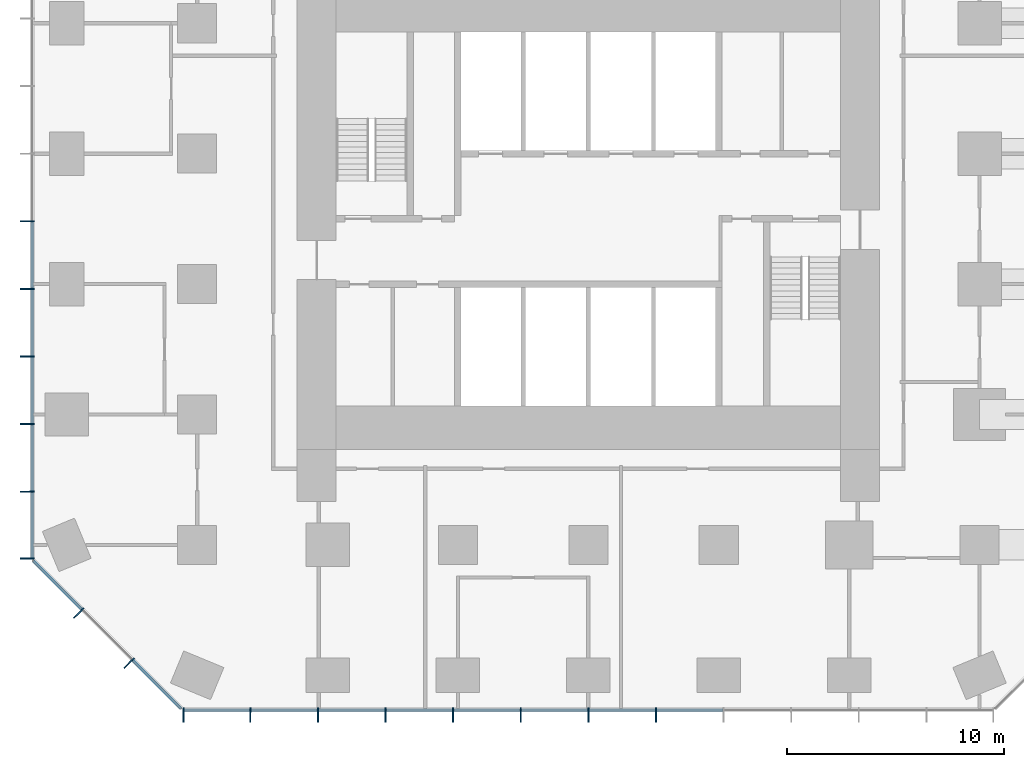
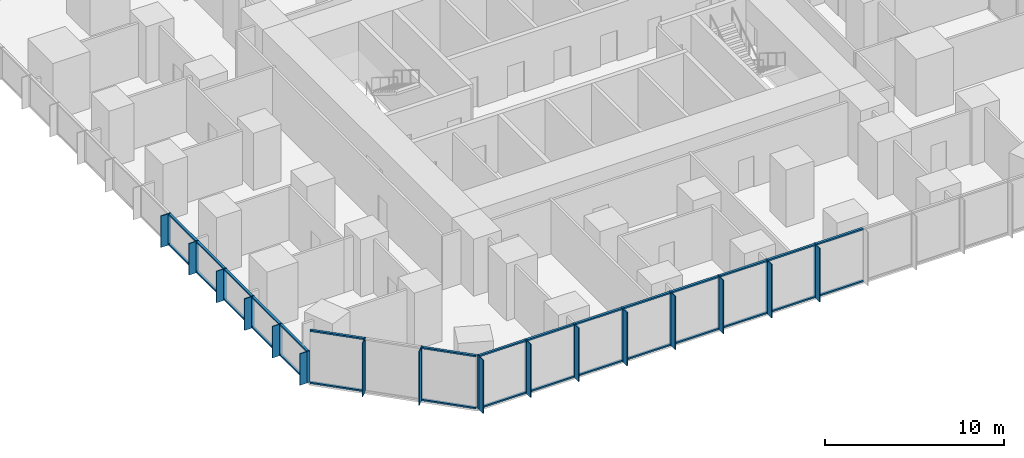
# One storey, part 2 of 13: 62 members, 3 elements without a shape of their own.
"""IFC4 building model written with IfcOpenShell, lengths in metres."""

from ifc_helpers import new_model, si_unit, direction, frame, origin, origin_2d, place, context, subcontext, project, spatial, rectangle, extrude, material, layer, layer_set, material_profile, profile_set, type_object, element, aggregate, save


model = new_model("IFC4")

# Units and contexts
model_context = context("Model", 3, precision=1e-05, world=origin(), true_north=direction((0.0, 1.0)))
body_context = subcontext(model_context, "Body", "Model", "MODEL_VIEW")
ifc_project = project(units=[si_unit("LENGTHUNIT", "METRE"), si_unit("AREAUNIT", "SQUARE_METRE"), si_unit("VOLUMEUNIT", "CUBIC_METRE"), si_unit("PLANEANGLEUNIT", "RADIAN"), si_unit("MASSUNIT", "GRAM", prefix="KILO")], contexts=[model_context])

# Site, building, storey
site_placement = place(None, origin())
site = spatial("IfcSite", under=ifc_project, at=site_placement, CompositionType="ELEMENT")
building_placement = place(site_placement, origin())
building = spatial("IfcBuilding", under=site, at=building_placement, Name="Highveld Stack Headquarters", CompositionType="ELEMENT")
storey_placement = place(building_placement, frame((0.0, 0.0, 84.5)))
storey = spatial("IfcBuildingStorey", under=building, at=storey_placement, Name="L20", CompositionType="ELEMENT", Elevation=84.5)

# Curtain wall, members
ifc_material_1 = material(Name="Aluminium bronze anodised", Category="aluminium")
ifc_layer_1 = layer(ifc_material_1, 0.199951171875)
ifc_layer_set_1 = layer_set([ifc_layer_1], Name="Aluminium bronze anodised")
curtain_wall_type_1 = type_object("IfcCurtainWallType", Name="CW1 TOWER UNITISED CURTAIN WALL", PredefinedType="NOTDEFINED", material=ifc_layer_set_1)
curtain_wall_1_placement = place(storey_placement, origin())
curtain_wall_1 = element("IfcCurtainWall", 1, at=curtain_wall_1_placement, inside=storey, type_object=curtain_wall_type_1, Name="Curtain wall CW1 L20 S", PredefinedType="NOTDEFINED")
ifc_material_2 = material(Name="Aluminium bronze anodised", Category="aluminium")
ifc_material_profile_1 = material_profile(ifc_material_2, rectangle(XDim=0.449951171875, YDim=0.06005859375, at=origin_2d()), Name="FIN 450x60")
ifc_profile_set_1 = profile_set([ifc_material_profile_1], Name="Aluminium bronze anodised")
member_type_1 = type_object("IfcMemberType", Name="CW1 BRONZE FIN 450x60", PredefinedType="USERDEFINED", material=ifc_profile_set_1)
member_1_placement = place(storey_placement, frame((-12.630126953125, -19.925048828125, 0.0), z_axis=(0.0, 0.0, 1.0), x_axis=(0.0, 1.0, 0.0)))
member_1 = element("IfcMember", 2, at=member_1_placement, type_object=member_type_1, Name="CW1 fin L20 1", ObjectType="FIN", PredefinedType="USERDEFINED", context=body_context, shape_type="SweptSolid", body=[
    extrude(rectangle(XDim=0.449951171875, YDim=0.06005859375, at=origin_2d()), origin(), (0.0, 0.0, 1.0), 3.64990234375),
])
member_2_placement = place(storey_placement, frame((-9.55224609375, -19.925048828125, 0.0), z_axis=(0.0, 0.0, 1.0), x_axis=(0.0, 1.0, 0.0)))
member_2 = element("IfcMember", 3, at=member_2_placement, type_object=member_type_1, Name="CW1 fin L20 2", ObjectType="FIN", PredefinedType="USERDEFINED", context=body_context, shape_type="SweptSolid", body=[
    extrude(rectangle(XDim=0.449951171875, YDim=0.06005859375, at=origin_2d()), origin(), (0.0, 0.0, 1.0), 3.64990234375),
])
member_3_placement = place(storey_placement, frame((-6.44189453125, -19.925048828125, 0.0), z_axis=(0.0, 0.0, 1.0), x_axis=(0.0, 1.0, 0.0)))
member_3 = element("IfcMember", 4, at=member_3_placement, type_object=member_type_1, Name="CW1 fin L20 3", ObjectType="FIN", PredefinedType="USERDEFINED", context=body_context, shape_type="SweptSolid", body=[
    extrude(rectangle(XDim=0.449951171875, YDim=0.06005859375, at=origin_2d()), origin(), (0.0, 0.0, 1.0), 3.64990234375),
])
member_4_placement = place(storey_placement, frame((-3.331298828125, -19.925048828125, 0.0), z_axis=(0.0, 0.0, 1.0), x_axis=(0.0, 1.0, 0.0)))
member_4 = element("IfcMember", 5, at=member_4_placement, type_object=member_type_1, Name="CW1 fin L20 4", ObjectType="FIN", PredefinedType="USERDEFINED", context=body_context, shape_type="SweptSolid", body=[
    extrude(rectangle(XDim=0.449951171875, YDim=0.06005859375, at=origin_2d()), origin(), (0.0, 0.0, 1.0), 3.64990234375),
])
member_5_placement = place(storey_placement, frame((-0.220947265625, -19.925048828125, 0.0), z_axis=(0.0, 0.0, 1.0), x_axis=(0.0, 1.0, 0.0)))
member_5 = element("IfcMember", 6, at=member_5_placement, type_object=member_type_1, Name="CW1 fin L20 5", ObjectType="FIN", PredefinedType="USERDEFINED", context=body_context, shape_type="SweptSolid", body=[
    extrude(rectangle(XDim=0.449951171875, YDim=0.06005859375, at=origin_2d()), origin(), (0.0, 0.0, 1.0), 3.64990234375),
])
member_6_placement = place(storey_placement, frame((2.8896484375, -19.925048828125, 0.0), z_axis=(0.0, 0.0, 1.0), x_axis=(0.0, 1.0, 0.0)))
member_6 = element("IfcMember", 7, at=member_6_placement, type_object=member_type_1, Name="CW1 fin L20 6", ObjectType="FIN", PredefinedType="USERDEFINED", context=body_context, shape_type="SweptSolid", body=[
    extrude(rectangle(XDim=0.449951171875, YDim=0.06005859375, at=origin_2d()), origin(), (0.0, 0.0, 1.0), 3.64990234375),
])
member_7_placement = place(storey_placement, frame((6.0, -19.925048828125, 0.0), z_axis=(0.0, 0.0, 1.0), x_axis=(0.0, 1.0, 0.0)))
member_7 = element("IfcMember", 8, at=member_7_placement, type_object=member_type_1, Name="CW1 fin L20 7", ObjectType="FIN", PredefinedType="USERDEFINED", context=body_context, shape_type="SweptSolid", body=[
    extrude(rectangle(XDim=0.449951171875, YDim=0.06005859375, at=origin_2d()), origin(), (0.0, 0.0, 1.0), 3.64990234375),
])
member_8_placement = place(storey_placement, frame((9.110595703125, -19.925048828125, 0.0), z_axis=(0.0, 0.0, 1.0), x_axis=(0.0, 1.0, 0.0)))
member_8 = element("IfcMember", 9, at=member_8_placement, type_object=member_type_1, Name="CW1 fin L20 8", ObjectType="FIN", PredefinedType="USERDEFINED", context=body_context, shape_type="SweptSolid", body=[
    extrude(rectangle(XDim=0.449951171875, YDim=0.06005859375, at=origin_2d()), origin(), (0.0, 0.0, 1.0), 3.64990234375),
])

curtain_wall_2_placement = place(storey_placement, origin())
curtain_wall_2 = element("IfcCurtainWall", 10, at=curtain_wall_2_placement, inside=storey, type_object=curtain_wall_type_1, Name="Curtain wall CW1 L20 W", PredefinedType="NOTDEFINED")
member_9_placement = place(storey_placement, frame((-19.925048828125, 2.889404296875, 0.0), z_axis=(0.0, 0.0, 1.0), x_axis=(1.0, 0.0, 0.0)))
member_9 = element("IfcMember", 11, at=member_9_placement, type_object=member_type_1, Name="CW1 fin L20 8", ObjectType="FIN", PredefinedType="USERDEFINED", context=body_context, shape_type="SweptSolid", body=[
    extrude(rectangle(XDim=0.449951171875, YDim=0.06005859375, at=origin_2d()), origin(), (0.0, 0.0, 1.0), 2.14990234375),
])
member_10_placement = place(storey_placement, frame((-19.925048828125, -0.220947265625, 0.0), z_axis=(0.0, 0.0, 1.0), x_axis=(1.0, 0.0, 0.0)))
member_10 = element("IfcMember", 12, at=member_10_placement, type_object=member_type_1, Name="CW1 fin L20 9", ObjectType="FIN", PredefinedType="USERDEFINED", context=body_context, shape_type="SweptSolid", body=[
    extrude(rectangle(XDim=0.449951171875, YDim=0.06005859375, at=origin_2d()), origin(), (0.0, 0.0, 1.0), 2.14990234375),
])
member_11_placement = place(storey_placement, frame((-19.925048828125, -3.331298828125, 0.0), z_axis=(0.0, 0.0, 1.0), x_axis=(1.0, 0.0, 0.0)))
member_11 = element("IfcMember", 13, at=member_11_placement, type_object=member_type_1, Name="CW1 fin L20 10", ObjectType="FIN", PredefinedType="USERDEFINED", context=body_context, shape_type="SweptSolid", body=[
    extrude(rectangle(XDim=0.449951171875, YDim=0.06005859375, at=origin_2d()), origin(), (0.0, 0.0, 1.0), 2.14990234375),
])
member_12_placement = place(storey_placement, frame((-19.925048828125, -6.44189453125, 0.0), z_axis=(0.0, 0.0, 1.0), x_axis=(1.0, 0.0, 0.0)))
member_12 = element("IfcMember", 14, at=member_12_placement, type_object=member_type_1, Name="CW1 fin L20 11", ObjectType="FIN", PredefinedType="USERDEFINED", context=body_context, shape_type="SweptSolid", body=[
    extrude(rectangle(XDim=0.449951171875, YDim=0.06005859375, at=origin_2d()), origin(), (0.0, 0.0, 1.0), 2.14990234375),
])
member_13_placement = place(storey_placement, frame((-19.925048828125, -9.55224609375, 0.0), z_axis=(0.0, 0.0, 1.0), x_axis=(1.0, 0.0, 0.0)))
member_13 = element("IfcMember", 15, at=member_13_placement, type_object=member_type_1, Name="CW1 fin L20 12", ObjectType="FIN", PredefinedType="USERDEFINED", context=body_context, shape_type="SweptSolid", body=[
    extrude(rectangle(XDim=0.449951171875, YDim=0.06005859375, at=origin_2d()), origin(), (0.0, 0.0, 1.0), 2.14990234375),
])
member_14_placement = place(storey_placement, frame((-19.925048828125, -12.630126953125, 0.0), z_axis=(0.0, 0.0, 1.0), x_axis=(1.0, 0.0, 0.0)))
member_14 = element("IfcMember", 16, at=member_14_placement, type_object=member_type_1, Name="CW1 fin L20 13", ObjectType="FIN", PredefinedType="USERDEFINED", context=body_context, shape_type="SweptSolid", body=[
    extrude(rectangle(XDim=0.449951171875, YDim=0.06005859375, at=origin_2d()), origin(), (0.0, 0.0, 1.0), 2.14990234375),
])

# Member
ifc_material_3 = material(Name="Aluminium bronze anodised", Category="aluminium")
ifc_material_profile_2 = material_profile(ifc_material_3, rectangle(XDim=0.199951171875, YDim=0.06494140625, at=origin_2d()), Name="CW1 MULLION 65x200")
ifc_profile_set_2 = profile_set([ifc_material_profile_2], Name="Aluminium bronze anodised")
member_type_2 = type_object("IfcMemberType", Name="CW1 MULLION 65x200", PredefinedType="MULLION", material=ifc_profile_set_2)
member_15_placement = place(storey_placement, frame((-12.630126953125, -19.60009765625, 0.0), z_axis=(0.0, 0.0, 1.0), x_axis=(0.0, 1.0, 0.0)))
member_15 = element("IfcMember", 17, at=member_15_placement, type_object=member_type_2, Name="CW1 mullion L20 1", PredefinedType="MULLION", context=body_context, shape_type="SweptSolid", body=[
    extrude(rectangle(XDim=0.199951171875, YDim=0.06494140625, at=origin_2d()), origin(), (0.0, 0.0, 1.0), 3.64990234375),
])

member_16_placement = place(storey_placement, frame((-9.55224609375, -19.60009765625, 0.0), z_axis=(0.0, 0.0, 1.0), x_axis=(0.0, 1.0, 0.0)))
member_16 = element("IfcMember", 18, at=member_16_placement, type_object=member_type_2, Name="CW1 mullion L20 2", PredefinedType="MULLION", context=body_context, shape_type="SweptSolid", body=[
    extrude(rectangle(XDim=0.199951171875, YDim=0.06494140625, at=origin_2d()), origin(), (0.0, 0.0, 1.0), 3.64990234375),
])

member_17_placement = place(storey_placement, frame((-6.44189453125, -19.60009765625, 0.0), z_axis=(0.0, 0.0, 1.0), x_axis=(0.0, 1.0, 0.0)))
member_17 = element("IfcMember", 19, at=member_17_placement, type_object=member_type_2, Name="CW1 mullion L20 3", PredefinedType="MULLION", context=body_context, shape_type="SweptSolid", body=[
    extrude(rectangle(XDim=0.199951171875, YDim=0.06494140625, at=origin_2d()), origin(), (0.0, 0.0, 1.0), 3.64990234375),
])

member_18_placement = place(storey_placement, frame((-3.331298828125, -19.60009765625, 0.0), z_axis=(0.0, 0.0, 1.0), x_axis=(0.0, 1.0, 0.0)))
member_18 = element("IfcMember", 20, at=member_18_placement, type_object=member_type_2, Name="CW1 mullion L20 4", PredefinedType="MULLION", context=body_context, shape_type="SweptSolid", body=[
    extrude(rectangle(XDim=0.199951171875, YDim=0.06494140625, at=origin_2d()), origin(), (0.0, 0.0, 1.0), 3.64990234375),
])

member_19_placement = place(storey_placement, frame((-0.220947265625, -19.60009765625, 0.0), z_axis=(0.0, 0.0, 1.0), x_axis=(0.0, 1.0, 0.0)))
member_19 = element("IfcMember", 21, at=member_19_placement, type_object=member_type_2, Name="CW1 mullion L20 5", PredefinedType="MULLION", context=body_context, shape_type="SweptSolid", body=[
    extrude(rectangle(XDim=0.199951171875, YDim=0.06494140625, at=origin_2d()), origin(), (0.0, 0.0, 1.0), 3.64990234375),
])

member_20_placement = place(storey_placement, frame((2.8896484375, -19.60009765625, 0.0), z_axis=(0.0, 0.0, 1.0), x_axis=(0.0, 1.0, 0.0)))
member_20 = element("IfcMember", 22, at=member_20_placement, type_object=member_type_2, Name="CW1 mullion L20 6", PredefinedType="MULLION", context=body_context, shape_type="SweptSolid", body=[
    extrude(rectangle(XDim=0.199951171875, YDim=0.06494140625, at=origin_2d()), origin(), (0.0, 0.0, 1.0), 3.64990234375),
])

member_21_placement = place(storey_placement, frame((6.0, -19.60009765625, 0.0), z_axis=(0.0, 0.0, 1.0), x_axis=(0.0, 1.0, 0.0)))
member_21 = element("IfcMember", 23, at=member_21_placement, type_object=member_type_2, Name="CW1 mullion L20 7", PredefinedType="MULLION", context=body_context, shape_type="SweptSolid", body=[
    extrude(rectangle(XDim=0.199951171875, YDim=0.06494140625, at=origin_2d()), origin(), (0.0, 0.0, 1.0), 3.64990234375),
])

member_22_placement = place(storey_placement, frame((9.110595703125, -19.60009765625, 0.0), z_axis=(0.0, 0.0, 1.0), x_axis=(0.0, 1.0, 0.0)))
member_22 = element("IfcMember", 24, at=member_22_placement, type_object=member_type_2, Name="CW1 mullion L20 8", PredefinedType="MULLION", context=body_context, shape_type="SweptSolid", body=[
    extrude(rectangle(XDim=0.199951171875, YDim=0.06494140625, at=origin_2d()), origin(), (0.0, 0.0, 1.0), 3.64990234375),
])

member_23_placement = place(storey_placement, frame((-19.60009765625, 2.889404296875, 0.0), z_axis=(0.0, 0.0, 1.0), x_axis=(1.0, 0.0, 0.0)))
member_23 = element("IfcMember", 25, at=member_23_placement, type_object=member_type_2, Name="CW1 mullion L20 8", PredefinedType="MULLION", context=body_context, shape_type="SweptSolid", body=[
    extrude(rectangle(XDim=0.199951171875, YDim=0.06494140625, at=origin_2d()), origin(), (0.0, 0.0, 1.0), 2.14990234375),
])

member_24_placement = place(storey_placement, frame((-19.60009765625, -0.220947265625, 0.0), z_axis=(0.0, 0.0, 1.0), x_axis=(1.0, 0.0, 0.0)))
member_24 = element("IfcMember", 26, at=member_24_placement, type_object=member_type_2, Name="CW1 mullion L20 9", PredefinedType="MULLION", context=body_context, shape_type="SweptSolid", body=[
    extrude(rectangle(XDim=0.199951171875, YDim=0.06494140625, at=origin_2d()), origin(), (0.0, 0.0, 1.0), 2.14990234375),
])

member_25_placement = place(storey_placement, frame((-19.60009765625, -3.331298828125, 0.0), z_axis=(0.0, 0.0, 1.0), x_axis=(1.0, 0.0, 0.0)))
member_25 = element("IfcMember", 27, at=member_25_placement, type_object=member_type_2, Name="CW1 mullion L20 10", PredefinedType="MULLION", context=body_context, shape_type="SweptSolid", body=[
    extrude(rectangle(XDim=0.199951171875, YDim=0.06494140625, at=origin_2d()), origin(), (0.0, 0.0, 1.0), 2.14990234375),
])

member_26_placement = place(storey_placement, frame((-19.60009765625, -6.44189453125, 0.0), z_axis=(0.0, 0.0, 1.0), x_axis=(1.0, 0.0, 0.0)))
member_26 = element("IfcMember", 28, at=member_26_placement, type_object=member_type_2, Name="CW1 mullion L20 11", PredefinedType="MULLION", context=body_context, shape_type="SweptSolid", body=[
    extrude(rectangle(XDim=0.199951171875, YDim=0.06494140625, at=origin_2d()), origin(), (0.0, 0.0, 1.0), 2.14990234375),
])

member_27_placement = place(storey_placement, frame((-19.60009765625, -9.55224609375, 0.0), z_axis=(0.0, 0.0, 1.0), x_axis=(1.0, 0.0, 0.0)))
member_27 = element("IfcMember", 29, at=member_27_placement, type_object=member_type_2, Name="CW1 mullion L20 12", PredefinedType="MULLION", context=body_context, shape_type="SweptSolid", body=[
    extrude(rectangle(XDim=0.199951171875, YDim=0.06494140625, at=origin_2d()), origin(), (0.0, 0.0, 1.0), 2.14990234375),
])

member_28_placement = place(storey_placement, frame((-19.60009765625, -12.630126953125, 0.0), z_axis=(0.0, 0.0, 1.0), x_axis=(1.0, 0.0, 0.0)))
member_28 = element("IfcMember", 30, at=member_28_placement, type_object=member_type_2, Name="CW1 mullion L20 13", PredefinedType="MULLION", context=body_context, shape_type="SweptSolid", body=[
    extrude(rectangle(XDim=0.199951171875, YDim=0.06494140625, at=origin_2d()), origin(), (0.0, 0.0, 1.0), 2.14990234375),
])

ifc_material_4 = material(Name="Aluminium bronze anodised", Category="aluminium")
ifc_material_profile_3 = material_profile(ifc_material_4, rectangle(XDim=0.14990234375, YDim=0.10009765625, at=origin_2d()), Name="CW1 TRANSOM 150x100")
ifc_profile_set_3 = profile_set([ifc_material_profile_3], Name="Aluminium bronze anodised")
member_type_3 = type_object("IfcMemberType", Name="CW1 STACK TRANSOM 150x100", PredefinedType="USERDEFINED", material=ifc_profile_set_3)
member_29_placement = place(storey_placement, frame((-12.59765625, -19.60009765625, 0.050048828125), z_axis=(1.0, 0.0, 0.0), x_axis=(0.0, 1.0, 0.0)))
member_29 = element("IfcMember", 31, at=member_29_placement, type_object=member_type_3, Name="CW1 transom L20 1.1", ObjectType="TRANSOM", PredefinedType="USERDEFINED", context=body_context, shape_type="SweptSolid", body=[
    extrude(rectangle(XDim=0.14990234375, YDim=0.10009765625, at=origin_2d()), origin(), (0.0, 0.0, 1.0), 3.012939453125),
])

member_30_placement = place(storey_placement, frame((-12.59765625, -19.60009765625, 3.60009765625), z_axis=(1.0, 0.0, 0.0), x_axis=(0.0, 1.0, 0.0)))
member_30 = element("IfcMember", 32, at=member_30_placement, type_object=member_type_3, Name="CW1 transom L20 1.2", ObjectType="TRANSOM", PredefinedType="USERDEFINED", context=body_context, shape_type="SweptSolid", body=[
    extrude(rectangle(XDim=0.14990234375, YDim=0.10009765625, at=origin_2d()), origin(), (0.0, 0.0, 1.0), 3.012939453125),
])

member_31_placement = place(storey_placement, frame((-9.519775390625, -19.60009765625, 0.050048828125), z_axis=(1.0, 0.0, 0.0), x_axis=(0.0, 1.0, 0.0)))
member_31 = element("IfcMember", 33, at=member_31_placement, type_object=member_type_3, Name="CW1 transom L20 2.1", ObjectType="TRANSOM", PredefinedType="USERDEFINED", context=body_context, shape_type="SweptSolid", body=[
    extrude(rectangle(XDim=0.14990234375, YDim=0.10009765625, at=origin_2d()), origin(), (0.0, 0.0, 1.0), 3.04541015625),
])

member_32_placement = place(storey_placement, frame((-9.519775390625, -19.60009765625, 3.60009765625), z_axis=(1.0, 0.0, 0.0), x_axis=(0.0, 1.0, 0.0)))
member_32 = element("IfcMember", 34, at=member_32_placement, type_object=member_type_3, Name="CW1 transom L20 2.2", ObjectType="TRANSOM", PredefinedType="USERDEFINED", context=body_context, shape_type="SweptSolid", body=[
    extrude(rectangle(XDim=0.14990234375, YDim=0.10009765625, at=origin_2d()), origin(), (0.0, 0.0, 1.0), 3.04541015625),
])

member_33_placement = place(storey_placement, frame((-6.4091796875, -19.60009765625, 0.050048828125), z_axis=(1.0, 0.0, 0.0), x_axis=(0.0, 1.0, 0.0)))
member_33 = element("IfcMember", 35, at=member_33_placement, type_object=member_type_3, Name="CW1 transom L20 3.1", ObjectType="TRANSOM", PredefinedType="USERDEFINED", context=body_context, shape_type="SweptSolid", body=[
    extrude(rectangle(XDim=0.14990234375, YDim=0.10009765625, at=origin_2d()), origin(), (0.0, 0.0, 1.0), 3.04541015625),
])

member_34_placement = place(storey_placement, frame((-6.4091796875, -19.60009765625, 3.60009765625), z_axis=(1.0, 0.0, 0.0), x_axis=(0.0, 1.0, 0.0)))
member_34 = element("IfcMember", 36, at=member_34_placement, type_object=member_type_3, Name="CW1 transom L20 3.2", ObjectType="TRANSOM", PredefinedType="USERDEFINED", context=body_context, shape_type="SweptSolid", body=[
    extrude(rectangle(XDim=0.14990234375, YDim=0.10009765625, at=origin_2d()), origin(), (0.0, 0.0, 1.0), 3.04541015625),
])

member_35_placement = place(storey_placement, frame((-3.298828125, -19.60009765625, 0.050048828125), z_axis=(1.0, 0.0, 0.0), x_axis=(0.0, 1.0, 0.0)))
member_35 = element("IfcMember", 37, at=member_35_placement, type_object=member_type_3, Name="CW1 transom L20 4.1", ObjectType="TRANSOM", PredefinedType="USERDEFINED", context=body_context, shape_type="SweptSolid", body=[
    extrude(rectangle(XDim=0.14990234375, YDim=0.10009765625, at=origin_2d()), origin(), (0.0, 0.0, 1.0), 3.04541015625),
])

member_36_placement = place(storey_placement, frame((-3.298828125, -19.60009765625, 3.60009765625), z_axis=(1.0, 0.0, 0.0), x_axis=(0.0, 1.0, 0.0)))
member_36 = element("IfcMember", 38, at=member_36_placement, type_object=member_type_3, Name="CW1 transom L20 4.2", ObjectType="TRANSOM", PredefinedType="USERDEFINED", context=body_context, shape_type="SweptSolid", body=[
    extrude(rectangle(XDim=0.14990234375, YDim=0.10009765625, at=origin_2d()), origin(), (0.0, 0.0, 1.0), 3.04541015625),
])

member_37_placement = place(storey_placement, frame((-0.1884765625, -19.60009765625, 0.050048828125), z_axis=(1.0, 0.0, 0.0), x_axis=(0.0, 1.0, 0.0)))
member_37 = element("IfcMember", 39, at=member_37_placement, type_object=member_type_3, Name="CW1 transom L20 5.1", ObjectType="TRANSOM", PredefinedType="USERDEFINED", context=body_context, shape_type="SweptSolid", body=[
    extrude(rectangle(XDim=0.14990234375, YDim=0.10009765625, at=origin_2d()), origin(), (0.0, 0.0, 1.0), 3.045654296875),
])

member_38_placement = place(storey_placement, frame((-0.1884765625, -19.60009765625, 3.60009765625), z_axis=(1.0, 0.0, 0.0), x_axis=(0.0, 1.0, 0.0)))
member_38 = element("IfcMember", 40, at=member_38_placement, type_object=member_type_3, Name="CW1 transom L20 5.2", ObjectType="TRANSOM", PredefinedType="USERDEFINED", context=body_context, shape_type="SweptSolid", body=[
    extrude(rectangle(XDim=0.14990234375, YDim=0.10009765625, at=origin_2d()), origin(), (0.0, 0.0, 1.0), 3.045654296875),
])

member_39_placement = place(storey_placement, frame((2.922119140625, -19.60009765625, 0.050048828125), z_axis=(1.0, 0.0, 0.0), x_axis=(0.0, 1.0, 0.0)))
member_39 = element("IfcMember", 41, at=member_39_placement, type_object=member_type_3, Name="CW1 transom L20 6.1", ObjectType="TRANSOM", PredefinedType="USERDEFINED", context=body_context, shape_type="SweptSolid", body=[
    extrude(rectangle(XDim=0.14990234375, YDim=0.10009765625, at=origin_2d()), origin(), (0.0, 0.0, 1.0), 3.04541015625),
])

member_40_placement = place(storey_placement, frame((2.922119140625, -19.60009765625, 3.60009765625), z_axis=(1.0, 0.0, 0.0), x_axis=(0.0, 1.0, 0.0)))
member_40 = element("IfcMember", 42, at=member_40_placement, type_object=member_type_3, Name="CW1 transom L20 6.2", ObjectType="TRANSOM", PredefinedType="USERDEFINED", context=body_context, shape_type="SweptSolid", body=[
    extrude(rectangle(XDim=0.14990234375, YDim=0.10009765625, at=origin_2d()), origin(), (0.0, 0.0, 1.0), 3.04541015625),
])

member_41_placement = place(storey_placement, frame((6.032470703125, -19.60009765625, 0.050048828125), z_axis=(1.0, 0.0, 0.0), x_axis=(0.0, 1.0, 0.0)))
member_41 = element("IfcMember", 43, at=member_41_placement, type_object=member_type_3, Name="CW1 transom L20 7.1", ObjectType="TRANSOM", PredefinedType="USERDEFINED", context=body_context, shape_type="SweptSolid", body=[
    extrude(rectangle(XDim=0.14990234375, YDim=0.10009765625, at=origin_2d()), origin(), (0.0, 0.0, 1.0), 3.04541015625),
])

member_42_placement = place(storey_placement, frame((6.032470703125, -19.60009765625, 3.60009765625), z_axis=(1.0, 0.0, 0.0), x_axis=(0.0, 1.0, 0.0)))
member_42 = element("IfcMember", 44, at=member_42_placement, type_object=member_type_3, Name="CW1 transom L20 7.2", ObjectType="TRANSOM", PredefinedType="USERDEFINED", context=body_context, shape_type="SweptSolid", body=[
    extrude(rectangle(XDim=0.14990234375, YDim=0.10009765625, at=origin_2d()), origin(), (0.0, 0.0, 1.0), 3.04541015625),
])

member_43_placement = place(storey_placement, frame((9.14306640625, -19.60009765625, 0.050048828125), z_axis=(1.0, 0.0, 0.0), x_axis=(0.0, 1.0, 0.0)))
member_43 = element("IfcMember", 45, at=member_43_placement, type_object=member_type_3, Name="CW1 transom L20 8.1", ObjectType="TRANSOM", PredefinedType="USERDEFINED", context=body_context, shape_type="SweptSolid", body=[
    extrude(rectangle(XDim=0.14990234375, YDim=0.10009765625, at=origin_2d()), origin(), (0.0, 0.0, 1.0), 3.04541015625),
])

member_44_placement = place(storey_placement, frame((9.14306640625, -19.60009765625, 3.60009765625), z_axis=(1.0, 0.0, 0.0), x_axis=(0.0, 1.0, 0.0)))
member_44 = element("IfcMember", 46, at=member_44_placement, type_object=member_type_3, Name="CW1 transom L20 8.2", ObjectType="TRANSOM", PredefinedType="USERDEFINED", context=body_context, shape_type="SweptSolid", body=[
    extrude(rectangle(XDim=0.14990234375, YDim=0.10009765625, at=origin_2d()), origin(), (0.0, 0.0, 1.0), 3.04541015625),
])

aggregate(curtain_wall_1, [member_15, member_1, member_16, member_2, member_17, member_3, member_18, member_4, member_19, member_5, member_20, member_6, member_21, member_7, member_22, member_8, member_29, member_30, member_31, member_32, member_33, member_34, member_35, member_36, member_37, member_38, member_39, member_40, member_41, member_42, member_43, member_44])

member_45_placement = place(storey_placement, frame((-19.60009765625, 2.857177734375, 0.050048828125), z_axis=(0.0, -1.0, 0.0), x_axis=(1.0, 0.0, 0.0)))
member_45 = element("IfcMember", 47, at=member_45_placement, type_object=member_type_3, Name="CW1 transom L20 8.1", ObjectType="TRANSOM", PredefinedType="USERDEFINED", context=body_context, shape_type="SweptSolid", body=[
    extrude(rectangle(XDim=0.14990234375, YDim=0.10009765625, at=origin_2d()), origin(), (0.0, 0.0, 1.0), 3.045654296875),
])

member_46_placement = place(storey_placement, frame((-19.60009765625, 2.857177734375, 2.10009765625), z_axis=(0.0, -1.0, 0.0), x_axis=(1.0, 0.0, 0.0)))
member_46 = element("IfcMember", 48, at=member_46_placement, type_object=member_type_3, Name="CW1 transom L20 8.2", ObjectType="TRANSOM", PredefinedType="USERDEFINED", context=body_context, shape_type="SweptSolid", body=[
    extrude(rectangle(XDim=0.14990234375, YDim=0.10009765625, at=origin_2d()), origin(), (0.0, 0.0, 1.0), 3.045654296875),
])

member_47_placement = place(storey_placement, frame((-19.60009765625, -0.25341796875, 0.050048828125), z_axis=(0.0, -1.0, 0.0), x_axis=(1.0, 0.0, 0.0)))
member_47 = element("IfcMember", 49, at=member_47_placement, type_object=member_type_3, Name="CW1 transom L20 9.1", ObjectType="TRANSOM", PredefinedType="USERDEFINED", context=body_context, shape_type="SweptSolid", body=[
    extrude(rectangle(XDim=0.14990234375, YDim=0.10009765625, at=origin_2d()), origin(), (0.0, 0.0, 1.0), 3.04541015625),
])

member_48_placement = place(storey_placement, frame((-19.60009765625, -0.25341796875, 2.10009765625), z_axis=(0.0, -1.0, 0.0), x_axis=(1.0, 0.0, 0.0)))
member_48 = element("IfcMember", 50, at=member_48_placement, type_object=member_type_3, Name="CW1 transom L20 9.2", ObjectType="TRANSOM", PredefinedType="USERDEFINED", context=body_context, shape_type="SweptSolid", body=[
    extrude(rectangle(XDim=0.14990234375, YDim=0.10009765625, at=origin_2d()), origin(), (0.0, 0.0, 1.0), 3.04541015625),
])

member_49_placement = place(storey_placement, frame((-19.60009765625, -3.36376953125, 0.050048828125), z_axis=(0.0, -1.0, 0.0), x_axis=(1.0, 0.0, 0.0)))
member_49 = element("IfcMember", 51, at=member_49_placement, type_object=member_type_3, Name="CW1 transom L20 10.1", ObjectType="TRANSOM", PredefinedType="USERDEFINED", context=body_context, shape_type="SweptSolid", body=[
    extrude(rectangle(XDim=0.14990234375, YDim=0.10009765625, at=origin_2d()), origin(), (0.0, 0.0, 1.0), 3.04541015625),
])

member_50_placement = place(storey_placement, frame((-19.60009765625, -3.36376953125, 2.10009765625), z_axis=(0.0, -1.0, 0.0), x_axis=(1.0, 0.0, 0.0)))
member_50 = element("IfcMember", 52, at=member_50_placement, type_object=member_type_3, Name="CW1 transom L20 10.2", ObjectType="TRANSOM", PredefinedType="USERDEFINED", context=body_context, shape_type="SweptSolid", body=[
    extrude(rectangle(XDim=0.14990234375, YDim=0.10009765625, at=origin_2d()), origin(), (0.0, 0.0, 1.0), 3.04541015625),
])

member_51_placement = place(storey_placement, frame((-19.60009765625, -6.474365234375, 0.050048828125), z_axis=(0.0, -1.0, 0.0), x_axis=(1.0, 0.0, 0.0)))
member_51 = element("IfcMember", 53, at=member_51_placement, type_object=member_type_3, Name="CW1 transom L20 11.1", ObjectType="TRANSOM", PredefinedType="USERDEFINED", context=body_context, shape_type="SweptSolid", body=[
    extrude(rectangle(XDim=0.14990234375, YDim=0.10009765625, at=origin_2d()), origin(), (0.0, 0.0, 1.0), 3.04541015625),
])

member_52_placement = place(storey_placement, frame((-19.60009765625, -6.474365234375, 2.10009765625), z_axis=(0.0, -1.0, 0.0), x_axis=(1.0, 0.0, 0.0)))
member_52 = element("IfcMember", 54, at=member_52_placement, type_object=member_type_3, Name="CW1 transom L20 11.2", ObjectType="TRANSOM", PredefinedType="USERDEFINED", context=body_context, shape_type="SweptSolid", body=[
    extrude(rectangle(XDim=0.14990234375, YDim=0.10009765625, at=origin_2d()), origin(), (0.0, 0.0, 1.0), 3.04541015625),
])

member_53_placement = place(storey_placement, frame((-19.60009765625, -9.584716796875, 0.050048828125), z_axis=(0.0, -1.0, 0.0), x_axis=(1.0, 0.0, 0.0)))
member_53 = element("IfcMember", 55, at=member_53_placement, type_object=member_type_3, Name="CW1 transom L20 12.1", ObjectType="TRANSOM", PredefinedType="USERDEFINED", context=body_context, shape_type="SweptSolid", body=[
    extrude(rectangle(XDim=0.14990234375, YDim=0.10009765625, at=origin_2d()), origin(), (0.0, 0.0, 1.0), 3.012939453125),
])

member_54_placement = place(storey_placement, frame((-19.60009765625, -9.584716796875, 2.10009765625), z_axis=(0.0, -1.0, 0.0), x_axis=(1.0, 0.0, 0.0)))
member_54 = element("IfcMember", 56, at=member_54_placement, type_object=member_type_3, Name="CW1 transom L20 12.2", ObjectType="TRANSOM", PredefinedType="USERDEFINED", context=body_context, shape_type="SweptSolid", body=[
    extrude(rectangle(XDim=0.14990234375, YDim=0.10009765625, at=origin_2d()), origin(), (0.0, 0.0, 1.0), 3.012939453125),
])

aggregate(curtain_wall_2, [member_23, member_9, member_24, member_10, member_25, member_11, member_26, member_12, member_27, member_13, member_28, member_14, member_45, member_46, member_47, member_48, member_49, member_50, member_51, member_52, member_53, member_54])

# Curtain wall, members
ifc_material_5 = material(Name="Aluminium bronze anodised", Category="aluminium")
ifc_layer_2 = layer(ifc_material_5, 0.199951171875)
ifc_layer_set_2 = layer_set([ifc_layer_2], Name="Aluminium bronze anodised")
curtain_wall_type_2 = type_object("IfcCurtainWallType", Name="CW2 TOWER CHAMFER UNITISED CURTAIN WALL", PredefinedType="NOTDEFINED", material=ifc_layer_set_2)
curtain_wall_3_placement = place(storey_placement, origin())
curtain_wall_3 = element("IfcCurtainWall", 57, at=curtain_wall_3_placement, inside=storey, type_object=curtain_wall_type_2, Name="Curtain wall CW2 L20 SW", PredefinedType="NOTDEFINED")
ifc_material_6 = material(Name="Aluminium bronze anodised", Category="aluminium")
ifc_material_profile_4 = material_profile(ifc_material_6, rectangle(XDim=0.449951171875, YDim=0.06005859375, at=origin_2d()), Name="FIN 450x60")
ifc_profile_set_4 = profile_set([ifc_material_profile_4], Name="Aluminium bronze anodised")
member_type_4 = type_object("IfcMemberType", Name="CW2 BRONZE FIN 450x60", PredefinedType="USERDEFINED", material=ifc_profile_set_4)
member_55_placement = place(storey_placement, frame((-17.517333984375, -15.204833984375, 0.0), z_axis=(0.0, 0.0, 1.0), x_axis=(0.707106781187, 0.707106781187, 0.0)))
member_55 = element("IfcMember", 58, at=member_55_placement, type_object=member_type_4, Name="CW2 fin L20 1", ObjectType="FIN", PredefinedType="USERDEFINED", context=body_context, shape_type="SweptSolid", body=[
    extrude(rectangle(XDim=0.449951171875, YDim=0.06005859375, at=origin_2d()), origin(), (0.0, 0.0, 1.0), 3.64990234375),
])
member_56_placement = place(storey_placement, frame((-15.204833984375, -17.517333984375, 0.0), z_axis=(0.0, 0.0, 1.0), x_axis=(0.707106781187, 0.707106781187, 0.0)))
member_56 = element("IfcMember", 59, at=member_56_placement, type_object=member_type_4, Name="CW2 fin L20 2", ObjectType="FIN", PredefinedType="USERDEFINED", context=body_context, shape_type="SweptSolid", body=[
    extrude(rectangle(XDim=0.449951171875, YDim=0.06005859375, at=origin_2d()), origin(), (0.0, 0.0, 1.0), 3.64990234375),
])
ifc_material_7 = material(Name="Aluminium bronze anodised", Category="aluminium")
ifc_material_profile_5 = material_profile(ifc_material_7, rectangle(XDim=0.199951171875, YDim=0.06494140625, at=origin_2d()), Name="CW2 MULLION 65x200")
ifc_profile_set_5 = profile_set([ifc_material_profile_5], Name="Aluminium bronze anodised")
member_type_5 = type_object("IfcMemberType", Name="CW2 MULLION 65x200", PredefinedType="MULLION", material=ifc_profile_set_5)
member_57_placement = place(storey_placement, frame((-17.28759765625, -14.97509765625, 0.0), z_axis=(0.0, 0.0, 1.0), x_axis=(0.707106781187, 0.707106781187, 0.0)))
member_57 = element("IfcMember", 60, at=member_57_placement, type_object=member_type_5, Name="CW2 mullion L20 1", PredefinedType="MULLION", context=body_context, shape_type="SweptSolid", body=[
    extrude(rectangle(XDim=0.199951171875, YDim=0.06494140625, at=origin_2d()), origin(), (0.0, 0.0, 1.0), 3.64990234375),
])
member_58_placement = place(storey_placement, frame((-14.97509765625, -17.28759765625, 0.0), z_axis=(0.0, 0.0, 1.0), x_axis=(0.707106781187, 0.707106781187, 0.0)))
member_58 = element("IfcMember", 61, at=member_58_placement, type_object=member_type_5, Name="CW2 mullion L20 2", PredefinedType="MULLION", context=body_context, shape_type="SweptSolid", body=[
    extrude(rectangle(XDim=0.199951171875, YDim=0.06494140625, at=origin_2d()), origin(), (0.0, 0.0, 1.0), 3.64990234375),
])
ifc_material_8 = material(Name="Aluminium bronze anodised", Category="aluminium")
ifc_material_profile_6 = material_profile(ifc_material_8, rectangle(XDim=0.14990234375, YDim=0.10009765625, at=origin_2d()), Name="CW2 TRANSOM 150x100")
ifc_profile_set_6 = profile_set([ifc_material_profile_6], Name="Aluminium bronze anodised")
member_type_6 = type_object("IfcMemberType", Name="CW2 STACK TRANSOM 150x100", PredefinedType="USERDEFINED", material=ifc_profile_set_6)
member_59_placement = place(storey_placement, frame((-19.529296875, -12.7333984375, 0.050048828125), z_axis=(0.707106781187, -0.707106781187, 0.0), x_axis=(0.707106781187, 0.707106781187, 0.0)))
member_59 = element("IfcMember", 62, at=member_59_placement, type_object=member_type_6, Name="CW2 transom L20 1.1", ObjectType="TRANSOM", PredefinedType="USERDEFINED", context=body_context, shape_type="SweptSolid", body=[
    extrude(rectangle(XDim=0.14990234375, YDim=0.10009765625, at=origin_2d()), origin(), (0.0, 0.0, 1.0), 3.1376953125),
])
member_60_placement = place(storey_placement, frame((-19.529296875, -12.7333984375, 3.60009765625), z_axis=(0.707106781187, -0.707106781187, 0.0), x_axis=(0.707106781187, 0.707106781187, 0.0)))
member_60 = element("IfcMember", 63, at=member_60_placement, type_object=member_type_6, Name="CW2 transom L20 1.2", ObjectType="TRANSOM", PredefinedType="USERDEFINED", context=body_context, shape_type="SweptSolid", body=[
    extrude(rectangle(XDim=0.14990234375, YDim=0.10009765625, at=origin_2d()), origin(), (0.0, 0.0, 1.0), 3.1376953125),
])
member_61_placement = place(storey_placement, frame((-14.9521484375, -17.310546875, 0.050048828125), z_axis=(0.707106781187, -0.707106781187, 0.0), x_axis=(0.707106781187, 0.707106781187, 0.0)))
member_61 = element("IfcMember", 64, at=member_61_placement, type_object=member_type_6, Name="CW2 transom L20 3.1", ObjectType="TRANSOM", PredefinedType="USERDEFINED", context=body_context, shape_type="SweptSolid", body=[
    extrude(rectangle(XDim=0.14990234375, YDim=0.10009765625, at=origin_2d()), origin(), (0.0, 0.0, 1.0), 3.1376953125),
])
member_62_placement = place(storey_placement, frame((-14.9521484375, -17.310546875, 3.60009765625), z_axis=(0.707106781187, -0.707106781187, 0.0), x_axis=(0.707106781187, 0.707106781187, 0.0)))
member_62 = element("IfcMember", 65, at=member_62_placement, type_object=member_type_6, Name="CW2 transom L20 3.2", ObjectType="TRANSOM", PredefinedType="USERDEFINED", context=body_context, shape_type="SweptSolid", body=[
    extrude(rectangle(XDim=0.14990234375, YDim=0.10009765625, at=origin_2d()), origin(), (0.0, 0.0, 1.0), 3.1376953125),
])
aggregate(curtain_wall_3, [member_57, member_55, member_58, member_56, member_59, member_60, member_61, member_62])

save(model, "model.ifc")
